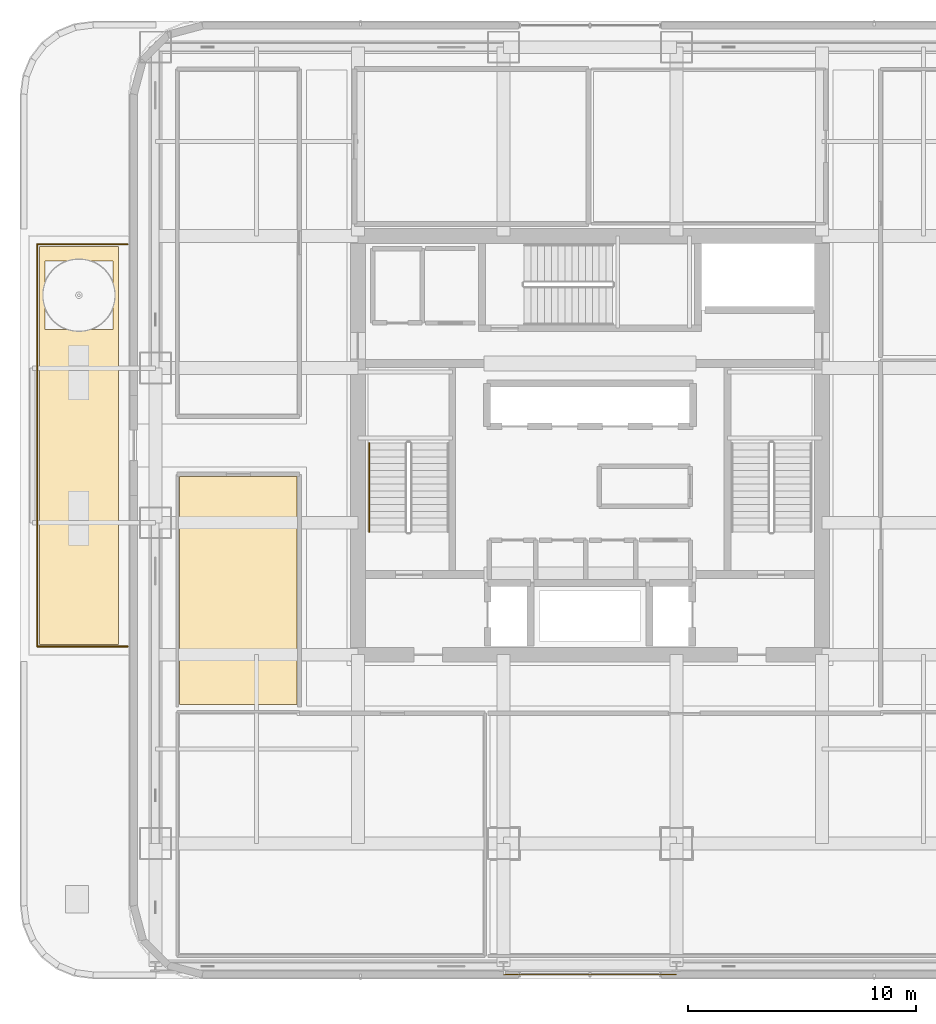
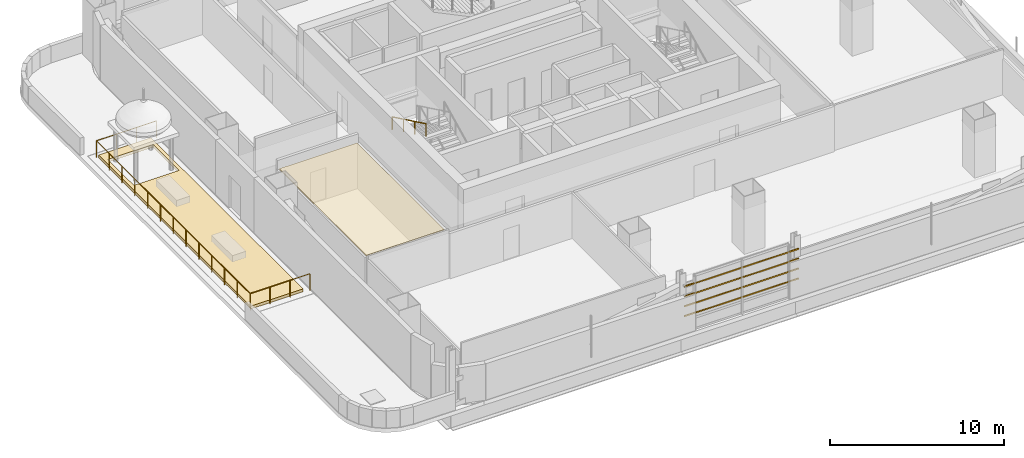
# One storey, part 17 of 27: 4 shading devices, 2 coverings, 2 railings.
"""IFC4 building model written with IfcOpenShell, lengths in metres."""

from ifc_helpers import new_model, si_unit, direction, frame, origin, origin_2d, place, context, subcontext, project, spatial, polyline, hollow_rectangle, circle, outline, extrude, material, layer, layer_set, material_profile, profile_set, type_object, element, save


model = new_model("IFC4")

# Units and contexts
model_context = context("Model", 3, precision=1e-05, world=origin(), true_north=direction((0.0, 1.0)))
body_context = subcontext(model_context, "Body", "Model", "MODEL_VIEW")
ifc_project = project(units=[si_unit("LENGTHUNIT", "METRE"), si_unit("AREAUNIT", "SQUARE_METRE"), si_unit("VOLUMEUNIT", "CUBIC_METRE"), si_unit("PLANEANGLEUNIT", "RADIAN"), si_unit("MASSUNIT", "GRAM", prefix="KILO")], contexts=[model_context])

# Site, building, storey
site_placement = place(None, origin())
site = spatial("IfcSite", under=ifc_project, at=site_placement, CompositionType="ELEMENT")
building_placement = place(site_placement, origin())
building = spatial("IfcBuilding", under=site, at=building_placement, Name="Punatoya Terracotta Tower", CompositionType="ELEMENT")
storey_placement = place(building_placement, frame((0.0, 0.0, 204.60009765625)))
storey = spatial("IfcBuildingStorey", under=building, at=storey_placement, Name="L48", CompositionType="ELEMENT", Elevation=204.60009765625)

# Coverings
ifc_material_1 = material(Name="Acoustic Mineral Fibre Ceiling")
ifc_layer_1 = layer(ifc_material_1, 0.06005859375)
ifc_layer_set_1 = layer_set([ifc_layer_1], Name="Acoustic Mineral Fibre Ceiling")
covering_type_1 = type_object("IfcCoveringType", Name="COV-CEIL-60", PredefinedType="CEILING", material=ifc_layer_set_1)
covering_1_placement = place(storey_placement, frame((0.0, 0.0, 3.159912109375)))
element("IfcCovering", 1, at=covering_1_placement, inside=storey, type_object=covering_type_1, Name="L48 Graphic Design Workplace Acoustic Ceiling", PredefinedType="CEILING", context=body_context, shape_type="SweptSolid", body=[
    extrude(outline(polyline([(-18.0400390625, -1.3701171875), (-18.0400390625, -11.389892578125), (-12.8701171875, -11.389892578125), (-12.8701171875, -1.3701171875), (-18.0400390625, -1.3701171875)])), origin(), (0.0, 0.0, 1.0), 0.06005859375),
])
ifc_material_2 = material(Name="Green Roof Planting Soil Medium")
ifc_layer_2 = layer(ifc_material_2, 0.35009765625)
ifc_layer_set_2 = layer_set([ifc_layer_2], Name="Green Roof Planting Soil Medium")
covering_type_2 = type_object("IfcCoveringType", Name="COV-TER-350", PredefinedType="ROOFING", material=ifc_layer_set_2)
covering_2_placement = place(storey_placement, origin())
element("IfcCovering", 2, at=covering_2_placement, inside=storey, type_object=covering_type_2, Name="L48 L48 Spiralling Sky Terrace Planted Soil Bed", PredefinedType="ROOFING", context=body_context, shape_type="SweptSolid", body=[
    extrude(outline(polyline([(-24.199951171875, 8.75), (-20.719970703125, 8.75), (-20.719970703125, -8.75), (-24.199951171875, -8.75), (-24.199951171875, 8.75)]), holes=[polyline([(-20.9599609375, 8.10009765625), (-23.9599609375, 8.10009765625), (-23.9599609375, 5.10009765625), (-20.9599609375, 5.10009765625), (-20.9599609375, 8.10009765625)])]), origin(), (0.0, 0.0, 1.0), 0.199951171875),
])

# Railings
ifc_material_3 = material(Name="Steel S355", Category="steel")
railing_type_1 = type_object("IfcRailingType", Name="RLG-BAL-1200", PredefinedType="BALUSTRADE", material=ifc_material_3)
railing_1_placement = place(storey_placement, frame((-20.320068359375, -8.840087890625, 0.0)))
element("IfcRailing", 3, at=railing_1_placement, inside=storey, type_object=railing_type_1, Name="L48 L48 Spiralling Sky Terrace Guardrail", PredefinedType="BALUSTRADE", context=body_context, shape_type="SweptSolid", body=[
    extrude(circle(Radius=0.02392578125, at=origin_2d()), frame((0.0, 0.0, 1.17578125), z_axis=(-1.0, 0.0, 0.0), x_axis=(0.0, -1.0, 0.0)), (0.0, 0.0, 1.0), 3.969970703125),
    extrude(circle(Radius=0.02392578125, at=origin_2d()), frame((-3.969970703125, 0.0, 1.17578125), z_axis=(0.0, 1.0, 0.0), x_axis=(-1.0, 0.0, 0.0)), (0.0, 0.0, 1.0), 17.68017578125),
    extrude(circle(Radius=0.02392578125, at=origin_2d()), frame((-3.969970703125, 17.68017578125, 1.17578125), z_axis=(1.0, 0.0, 0.0), x_axis=(0.0, 1.0, 0.0)), (0.0, 0.0, 1.0), 3.969970703125),
    extrude(circle(Radius=0.02099609375, at=origin_2d()), origin(), (0.0, 0.0, 1.0), 1.15185546875),
    extrude(circle(Radius=0.02099609375, at=origin_2d()), frame((-1.3232421875, 0.0, 0.0)), (0.0, 0.0, 1.0), 1.15185546875),
    extrude(circle(Radius=0.02099609375, at=origin_2d()), frame((-2.646728515625, 0.0, 0.0)), (0.0, 0.0, 1.0), 1.15185546875),
    extrude(circle(Radius=0.02099609375, at=origin_2d()), frame((-3.969970703125, 0.0, 0.0)), (0.0, 0.0, 1.0), 1.15185546875),
    extrude(circle(Radius=0.02099609375, at=origin_2d()), frame((-3.969970703125, 1.473388671875, 0.0)), (0.0, 0.0, 1.0), 1.15185546875),
    extrude(circle(Radius=0.02099609375, at=origin_2d()), frame((-3.969970703125, 2.94677734375, 0.0)), (0.0, 0.0, 1.0), 1.15185546875),
    extrude(circle(Radius=0.02099609375, at=origin_2d()), frame((-3.969970703125, 4.419921875, 0.0)), (0.0, 0.0, 1.0), 1.15185546875),
    extrude(circle(Radius=0.02099609375, at=origin_2d()), frame((-3.969970703125, 5.893310546875, 0.0)), (0.0, 0.0, 1.0), 1.15185546875),
    extrude(circle(Radius=0.02099609375, at=origin_2d()), frame((-3.969970703125, 7.36669921875, 0.0)), (0.0, 0.0, 1.0), 1.15185546875),
    extrude(circle(Radius=0.02099609375, at=origin_2d()), frame((-3.969970703125, 8.840087890625, 0.0)), (0.0, 0.0, 1.0), 1.15185546875),
    extrude(circle(Radius=0.02099609375, at=origin_2d()), frame((-3.969970703125, 10.3134765625, 0.0)), (0.0, 0.0, 1.0), 1.15185546875),
    extrude(circle(Radius=0.02099609375, at=origin_2d()), frame((-3.969970703125, 11.786865234375, 0.0)), (0.0, 0.0, 1.0), 1.15185546875),
    extrude(circle(Radius=0.02099609375, at=origin_2d()), frame((-3.969970703125, 13.26025390625, 0.0)), (0.0, 0.0, 1.0), 1.15185546875),
    extrude(circle(Radius=0.02099609375, at=origin_2d()), frame((-3.969970703125, 14.7333984375, 0.0)), (0.0, 0.0, 1.0), 1.15185546875),
    extrude(circle(Radius=0.02099609375, at=origin_2d()), frame((-3.969970703125, 16.206787109375, 0.0)), (0.0, 0.0, 1.0), 1.15185546875),
    extrude(circle(Radius=0.02099609375, at=origin_2d()), frame((-3.969970703125, 17.68017578125, 0.0)), (0.0, 0.0, 1.0), 1.15185546875),
    extrude(circle(Radius=0.02099609375, at=origin_2d()), frame((-2.646728515625, 17.68017578125, 0.0)), (0.0, 0.0, 1.0), 1.15185546875),
    extrude(circle(Radius=0.02099609375, at=origin_2d()), frame((-1.3232421875, 17.68017578125, 0.0)), (0.0, 0.0, 1.0), 1.15185546875),
    extrude(circle(Radius=0.02099609375, at=origin_2d()), frame((0.0, 17.68017578125, 0.0)), (0.0, 0.0, 1.0), 1.15185546875),
])
railing_type_2 = type_object("IfcRailingType", Name="RLG-HND-900", PredefinedType="HANDRAIL", material=ifc_material_3)
railing_2_placement = place(storey_placement, frame((-9.699951171875, 0.10009765625, 2.16943359375)))
element("IfcRailing", 4, at=railing_2_placement, inside=storey, type_object=railing_type_2, Name="L48 ST-1 stair handrail 2", PredefinedType="HANDRAIL", context=body_context, shape_type="SweptSolid", body=[
    extrude(circle(Radius=0.02392578125, at=origin_2d()), frame((0.0, 0.0, 0.8759765625), z_axis=(0.0, -0.900773802044, 0.434288564841), x_axis=(1.0, 0.0, 0.0)), (0.0, 0.0, 1.0), 4.329833984375),
    extrude(circle(Radius=0.02099609375, at=origin_2d()), origin(), (0.0, 0.0, 1.0), 0.851806640625),
    extrude(circle(Radius=0.02099609375, at=origin_2d()), frame((0.0, -1.300048828125, 0.626708984375)), (0.0, 0.0, 1.0), 0.851806640625),
    extrude(circle(Radius=0.02099609375, at=origin_2d()), frame((0.0, -2.60009765625, 1.253662109375)), (0.0, 0.0, 1.0), 0.851806640625),
    extrude(circle(Radius=0.02099609375, at=origin_2d()), frame((0.0, -3.900146484375, 1.88037109375)), (0.0, 0.0, 1.0), 0.851806640625),
])

# Shading devices
ifc_material_4 = material(Name="Architectural Fired Terracotta", Category="masonry")
ifc_material_profile = material_profile(ifc_material_4, hollow_rectangle(XDim=0.06005859375, YDim=0.090087890625, WallThickness=0.013916015625, at=origin_2d()))
ifc_profile_set = profile_set([ifc_material_profile], Name="Architectural Fired Terracotta")
shading_device_type = type_object("IfcShadingDeviceType", Name="SHD-JALI-90", PredefinedType="JALOUSIE", material=ifc_profile_set)
for number, where, z_axis, x_axis, name in (
    (5, (-3.800048828125, -23.25244140625, 1.14990234375), (1.0, 0.0, 0.0), (0.0, 1.0, 0.0), "L48 Fired Terracotta Baguette Louvre BAG-L48-S-01"),
    (6, (-3.800048828125, -23.25244140625, 1.84326171875), (1.0, 0.0, 0.0), (0.0, 1.0, 0.0), "L48 Fired Terracotta Baguette Louvre BAG-L48-S-02"),
    (7, (-3.800048828125, -23.25244140625, 2.53662109375), (1.0, 0.0, 0.0), (0.0, 1.0, 0.0), "L48 Fired Terracotta Baguette Louvre BAG-L48-S-03"),
    (8, (-3.800048828125, -23.25244140625, 3.22998046875), (1.0, 0.0, 0.0), (0.0, 1.0, 0.0), "L48 Fired Terracotta Baguette Louvre BAG-L48-S-04"),
):
    element("IfcShadingDevice", number, at=place(storey_placement, frame(where, z_axis=z_axis, x_axis=x_axis)), inside=storey, type_object=shading_device_type, Name=name, PredefinedType="JALOUSIE", context=body_context, shape_type="SweptSolid", body=[
        extrude(hollow_rectangle(XDim=0.06005859375, YDim=0.090087890625, WallThickness=0.013916015625, at=origin_2d()), origin(), (0.0, 0.0, 1.0), 7.60009765625),
    ])

save(model, "model.ifc")
